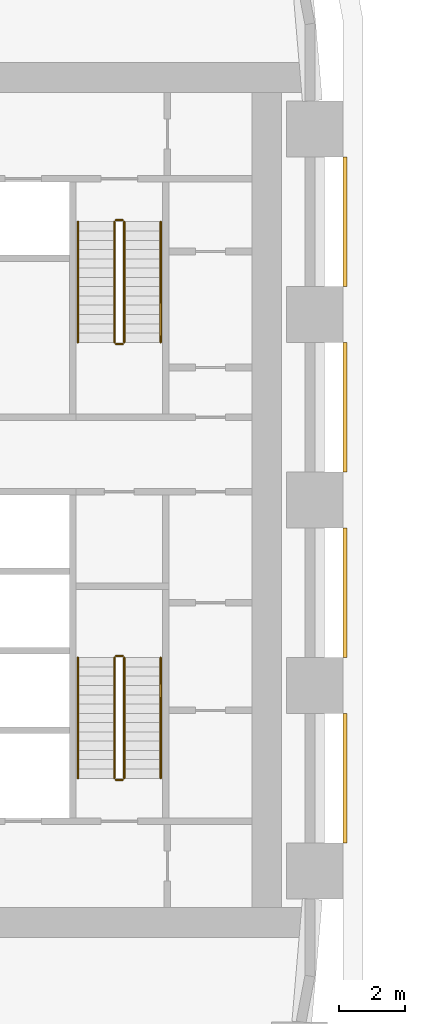
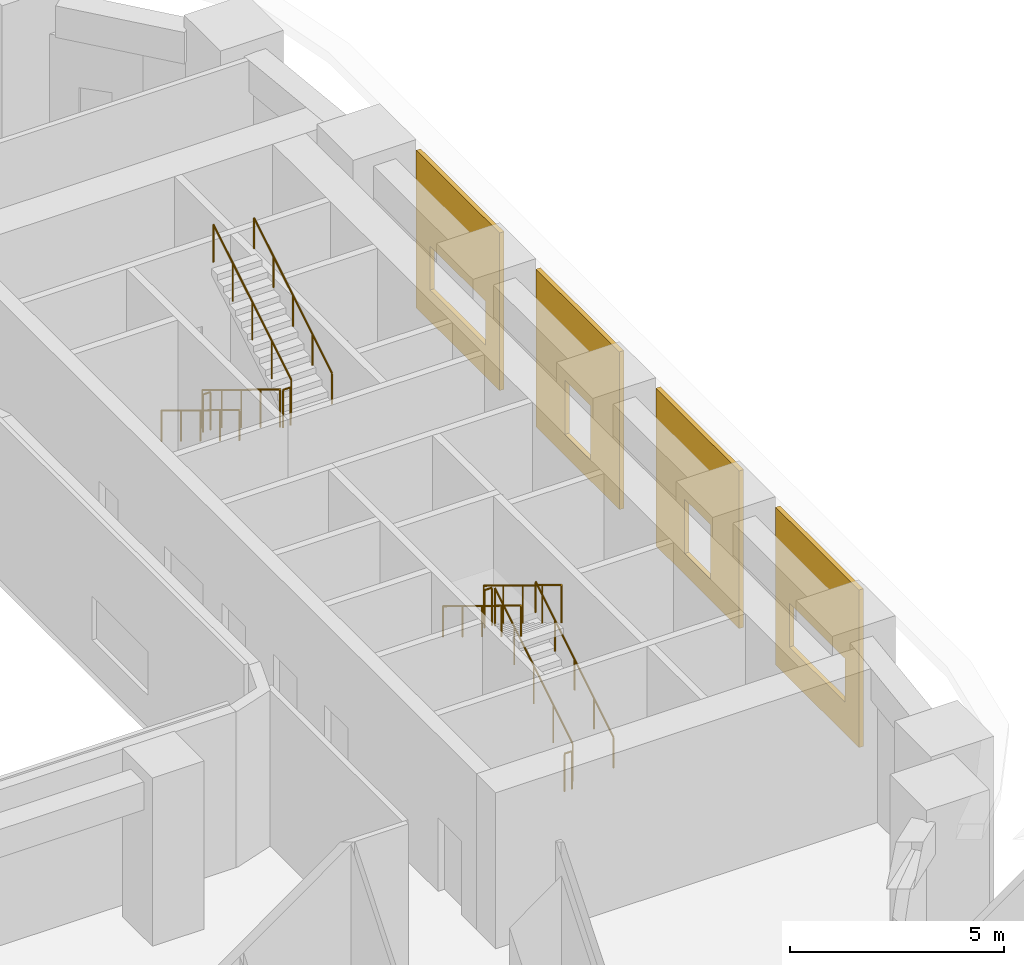
# One storey, part 12 of 13: 12 railings, 4 coverings.
"""IFC4 building model written with IfcOpenShell, lengths in metres."""

from ifc_helpers import new_model, si_unit, direction, frame, origin, origin_2d, place, context, subcontext, project, spatial, polyline, circle, outline, extrude, material, layer, layer_set, type_object, element, save


model = new_model("IFC4")

# Units and contexts
model_context = context("Model", 3, precision=1e-05, world=origin(), true_north=direction((0.0, 1.0)))
body_context = subcontext(model_context, "Body", "Model", "MODEL_VIEW")
ifc_project = project(units=[si_unit("LENGTHUNIT", "METRE"), si_unit("AREAUNIT", "SQUARE_METRE"), si_unit("VOLUMEUNIT", "CUBIC_METRE"), si_unit("PLANEANGLEUNIT", "RADIAN"), si_unit("MASSUNIT", "GRAM", prefix="KILO")], contexts=[model_context])

# Site, building, storey
site_placement = place(None, origin())
site = spatial("IfcSite", under=ifc_project, at=site_placement, CompositionType="ELEMENT")
building_placement = place(site_placement, origin())
building = spatial("IfcBuilding", under=site, at=building_placement, Name="Kiln Ring Residences", CompositionType="ELEMENT")
storey_placement = place(building_placement, frame((0.0, 0.0, 25.699951171875)))
storey = spatial("IfcBuildingStorey", under=building, at=storey_placement, Name="L05", CompositionType="ELEMENT", Elevation=25.699951171875)

# Railings
ifc_material_1 = material(Name="Stainless steel", Category="steel")
railing_type_1 = type_object("IfcRailingType", Name="CORE-STAIR-GUARD", PredefinedType="GUARDRAIL", material=ifc_material_1)
railing_1_placement = place(storey_placement, frame((21.949951171875, 8.39990234375, 0.17138671875)))
element("IfcRailing", 1, at=railing_1_placement, inside=storey, type_object=railing_type_1, Name="L05 E-STN stair guard 1", PredefinedType="GUARDRAIL", context=body_context, shape_type="SweptSolid", body=[
    extrude(circle(Radius=0.02392578125, at=origin_2d()), frame((0.0, 0.0, 1.076171875), z_axis=(0.0, -0.852824790078, 0.522197163366), x_axis=(1.0, 0.0, 0.0)), (0.0, 0.0, 1.0), 4.26806640625),
    extrude(circle(Radius=0.02099609375, at=origin_2d()), origin(), (0.0, 0.0, 1.0), 1.052001953125),
    extrude(circle(Radius=0.02099609375, at=origin_2d()), frame((0.0, -0.909912109375, 0.55712890625)), (0.0, 0.0, 1.0), 1.052001953125),
    extrude(circle(Radius=0.02099609375, at=origin_2d()), frame((0.0, -1.81982421875, 1.1142578125)), (0.0, 0.0, 1.0), 1.052001953125),
    extrude(circle(Radius=0.02099609375, at=origin_2d()), frame((0.0, -2.72998046875, 1.671630859375)), (0.0, 0.0, 1.0), 1.052001953125),
    extrude(circle(Radius=0.02099609375, at=origin_2d()), frame((0.0, -3.639892578125, 2.228759765625)), (0.0, 0.0, 1.0), 1.052001953125),
])
railing_2_placement = place(storey_placement, frame((22.0, 4.7099609375, 2.400146484375)))
element("IfcRailing", 2, at=railing_2_placement, inside=storey, type_object=railing_type_1, Name="L05 E-STN stair guard 2", PredefinedType="GUARDRAIL", context=body_context, shape_type="SweptSolid", body=[
    extrude(circle(Radius=0.02392578125, at=origin_2d()), frame((0.0, 0.0, 1.076171875), z_axis=(1.0, 0.0, 0.0), x_axis=(0.0, 1.0, 0.0)), (0.0, 0.0, 1.0), 0.199951171875),
    extrude(circle(Radius=0.02099609375, at=origin_2d()), origin(), (0.0, 0.0, 1.0), 1.052001953125),
    extrude(circle(Radius=0.02099609375, at=origin_2d()), frame((0.199951171875, 0.0, 0.0)), (0.0, 0.0, 1.0), 1.052001953125),
])
railing_3_placement = place(storey_placement, frame((22.25, 4.760009765625, 2.571533203125)))
element("IfcRailing", 3, at=railing_3_placement, inside=storey, type_object=railing_type_1, Name="L05 E-STN stair guard 3", PredefinedType="GUARDRAIL", context=body_context, shape_type="SweptSolid", body=[
    extrude(circle(Radius=0.02392578125, at=origin_2d()), frame((0.0, 0.0, 1.076171875), z_axis=(0.0, 0.852850264322, 0.5221555579), x_axis=(-1.0, 0.0, 0.0)), (0.0, 0.0, 1.0), 4.267822265625),
    extrude(circle(Radius=0.02099609375, at=origin_2d()), origin(), (0.0, 0.0, 1.0), 1.052001953125),
    extrude(circle(Radius=0.02099609375, at=origin_2d()), frame((0.0, 0.909912109375, 0.55712890625)), (0.0, 0.0, 1.0), 1.052001953125),
    extrude(circle(Radius=0.02099609375, at=origin_2d()), frame((0.0, 1.81982421875, 1.1142578125)), (0.0, 0.0, 1.0), 1.052001953125),
    extrude(circle(Radius=0.02099609375, at=origin_2d()), frame((0.0, 2.72998046875, 1.67138671875)), (0.0, 0.0, 1.0), 1.052001953125),
    extrude(circle(Radius=0.02099609375, at=origin_2d()), frame((0.0, 3.639892578125, 2.228515625)), (0.0, 0.0, 1.0), 1.052001953125),
])
railing_4_placement = place(storey_placement, frame((22.0, 8.449951171875, 0.0)))
element("IfcRailing", 4, at=railing_4_placement, inside=storey, type_object=railing_type_1, Name="L05 E-STN stair guard 4", PredefinedType="GUARDRAIL", context=body_context, shape_type="SweptSolid", body=[
    extrude(circle(Radius=0.02392578125, at=origin_2d()), frame((0.0, 0.0, 1.076171875), z_axis=(1.0, 0.0, 0.0), x_axis=(0.0, 1.0, 0.0)), (0.0, 0.0, 1.0), 0.199951171875),
    extrude(circle(Radius=0.02099609375, at=origin_2d()), origin(), (0.0, 0.0, 1.0), 1.052001953125),
    extrude(circle(Radius=0.02099609375, at=origin_2d()), frame((0.199951171875, 0.0, 0.0)), (0.0, 0.0, 1.0), 1.052001953125),
])
railing_5_placement = place(storey_placement, frame((22.25, -8.39990234375, 0.17138671875)))
element("IfcRailing", 5, at=railing_5_placement, inside=storey, type_object=railing_type_1, Name="L05 E-STS stair guard 1", PredefinedType="GUARDRAIL", context=body_context, shape_type="SweptSolid", body=[
    extrude(circle(Radius=0.02392578125, at=origin_2d()), frame((0.0, 0.0, 1.076171875), z_axis=(0.0, 0.852824790078, 0.522197163366), x_axis=(-1.0, 0.0, 0.0)), (0.0, 0.0, 1.0), 4.26806640625),
    extrude(circle(Radius=0.02099609375, at=origin_2d()), origin(), (0.0, 0.0, 1.0), 1.052001953125),
    extrude(circle(Radius=0.02099609375, at=origin_2d()), frame((0.0, 0.909912109375, 0.55712890625)), (0.0, 0.0, 1.0), 1.052001953125),
    extrude(circle(Radius=0.02099609375, at=origin_2d()), frame((0.0, 1.81982421875, 1.1142578125)), (0.0, 0.0, 1.0), 1.052001953125),
    extrude(circle(Radius=0.02099609375, at=origin_2d()), frame((0.0, 2.72998046875, 1.671630859375)), (0.0, 0.0, 1.0), 1.052001953125),
    extrude(circle(Radius=0.02099609375, at=origin_2d()), frame((0.0, 3.639892578125, 2.228759765625)), (0.0, 0.0, 1.0), 1.052001953125),
])
railing_6_placement = place(storey_placement, frame((22.199951171875, -4.7099609375, 2.400146484375)))
element("IfcRailing", 6, at=railing_6_placement, inside=storey, type_object=railing_type_1, Name="L05 E-STS stair guard 2", PredefinedType="GUARDRAIL", context=body_context, shape_type="SweptSolid", body=[
    extrude(circle(Radius=0.02392578125, at=origin_2d()), frame((0.0, 0.0, 1.076171875), z_axis=(-1.0, 0.0, 0.0), x_axis=(0.0, -1.0, 0.0)), (0.0, 0.0, 1.0), 0.199951171875),
    extrude(circle(Radius=0.02099609375, at=origin_2d()), origin(), (0.0, 0.0, 1.0), 1.052001953125),
    extrude(circle(Radius=0.02099609375, at=origin_2d()), frame((-0.199951171875, 0.0, 0.0)), (0.0, 0.0, 1.0), 1.052001953125),
])
railing_7_placement = place(storey_placement, frame((21.949951171875, -4.760009765625, 2.571533203125)))
element("IfcRailing", 7, at=railing_7_placement, inside=storey, type_object=railing_type_1, Name="L05 E-STS stair guard 3", PredefinedType="GUARDRAIL", context=body_context, shape_type="SweptSolid", body=[
    extrude(circle(Radius=0.02392578125, at=origin_2d()), frame((0.0, 0.0, 1.076171875), z_axis=(0.0, -0.852850264322, 0.5221555579), x_axis=(1.0, 0.0, 0.0)), (0.0, 0.0, 1.0), 4.267822265625),
    extrude(circle(Radius=0.02099609375, at=origin_2d()), origin(), (0.0, 0.0, 1.0), 1.052001953125),
    extrude(circle(Radius=0.02099609375, at=origin_2d()), frame((0.0, -0.909912109375, 0.55712890625)), (0.0, 0.0, 1.0), 1.052001953125),
    extrude(circle(Radius=0.02099609375, at=origin_2d()), frame((0.0, -1.81982421875, 1.1142578125)), (0.0, 0.0, 1.0), 1.052001953125),
    extrude(circle(Radius=0.02099609375, at=origin_2d()), frame((0.0, -2.72998046875, 1.67138671875)), (0.0, 0.0, 1.0), 1.052001953125),
    extrude(circle(Radius=0.02099609375, at=origin_2d()), frame((0.0, -3.639892578125, 2.228515625)), (0.0, 0.0, 1.0), 1.052001953125),
])
railing_8_placement = place(storey_placement, frame((22.199951171875, -8.449951171875, 0.0)))
element("IfcRailing", 8, at=railing_8_placement, inside=storey, type_object=railing_type_1, Name="L05 E-STS stair guard 4", PredefinedType="GUARDRAIL", context=body_context, shape_type="SweptSolid", body=[
    extrude(circle(Radius=0.02392578125, at=origin_2d()), frame((0.0, 0.0, 1.076171875), z_axis=(-1.0, 0.0, 0.0), x_axis=(0.0, -1.0, 0.0)), (0.0, 0.0, 1.0), 0.199951171875),
    extrude(circle(Radius=0.02099609375, at=origin_2d()), origin(), (0.0, 0.0, 1.0), 1.052001953125),
    extrude(circle(Radius=0.02099609375, at=origin_2d()), frame((-0.199951171875, 0.0, 0.0)), (0.0, 0.0, 1.0), 1.052001953125),
])
ifc_material_2 = material(Name="Stainless steel", Category="steel")
railing_type_2 = type_object("IfcRailingType", Name="CORE-STAIR-HANDRAIL", PredefinedType="HANDRAIL", material=ifc_material_2)
railing_9_placement = place(storey_placement, frame((20.85009765625, 8.39990234375, 0.17138671875)))
element("IfcRailing", 9, at=railing_9_placement, inside=storey, type_object=railing_type_2, Name="L05 E-STN stair handrail 1", PredefinedType="HANDRAIL", context=body_context, shape_type="SweptSolid", body=[
    extrude(circle(Radius=0.02392578125, at=origin_2d()), frame((0.0, 0.0, 0.8759765625), z_axis=(0.0, -0.852824790078, 0.522197163366), x_axis=(1.0, 0.0, 0.0)), (0.0, 0.0, 1.0), 4.26806640625),
    extrude(circle(Radius=0.02099609375, at=origin_2d()), origin(), (0.0, 0.0, 1.0), 0.851806640625),
    extrude(circle(Radius=0.02099609375, at=origin_2d()), frame((0.0, -0.909912109375, 0.55712890625)), (0.0, 0.0, 1.0), 0.851806640625),
    extrude(circle(Radius=0.02099609375, at=origin_2d()), frame((0.0, -1.81982421875, 1.1142578125)), (0.0, 0.0, 1.0), 0.851806640625),
    extrude(circle(Radius=0.02099609375, at=origin_2d()), frame((0.0, -2.72998046875, 1.671630859375)), (0.0, 0.0, 1.0), 0.851806640625),
    extrude(circle(Radius=0.02099609375, at=origin_2d()), frame((0.0, -3.639892578125, 2.228759765625)), (0.0, 0.0, 1.0), 0.851806640625),
])
railing_10_placement = place(storey_placement, frame((23.35009765625, 4.760009765625, 2.571533203125)))
element("IfcRailing", 10, at=railing_10_placement, inside=storey, type_object=railing_type_2, Name="L05 E-STN stair handrail 2", PredefinedType="HANDRAIL", context=body_context, shape_type="SweptSolid", body=[
    extrude(circle(Radius=0.02392578125, at=origin_2d()), frame((0.0, 0.0, 0.8759765625), z_axis=(0.0, 0.852850264322, 0.5221555579), x_axis=(-1.0, 0.0, 0.0)), (0.0, 0.0, 1.0), 4.267822265625),
    extrude(circle(Radius=0.02099609375, at=origin_2d()), origin(), (0.0, 0.0, 1.0), 0.851806640625),
    extrude(circle(Radius=0.02099609375, at=origin_2d()), frame((0.0, 0.909912109375, 0.55712890625)), (0.0, 0.0, 1.0), 0.851806640625),
    extrude(circle(Radius=0.02099609375, at=origin_2d()), frame((0.0, 1.81982421875, 1.1142578125)), (0.0, 0.0, 1.0), 0.851806640625),
    extrude(circle(Radius=0.02099609375, at=origin_2d()), frame((0.0, 2.72998046875, 1.67138671875)), (0.0, 0.0, 1.0), 0.851806640625),
    extrude(circle(Radius=0.02099609375, at=origin_2d()), frame((0.0, 3.639892578125, 2.228515625)), (0.0, 0.0, 1.0), 0.851806640625),
])
railing_11_placement = place(storey_placement, frame((23.35009765625, -8.39990234375, 0.17138671875)))
element("IfcRailing", 11, at=railing_11_placement, inside=storey, type_object=railing_type_2, Name="L05 E-STS stair handrail 1", PredefinedType="HANDRAIL", context=body_context, shape_type="SweptSolid", body=[
    extrude(circle(Radius=0.02392578125, at=origin_2d()), frame((0.0, 0.0, 0.8759765625), z_axis=(0.0, 0.852824790078, 0.522197163366), x_axis=(-1.0, 0.0, 0.0)), (0.0, 0.0, 1.0), 4.26806640625),
    extrude(circle(Radius=0.02099609375, at=origin_2d()), origin(), (0.0, 0.0, 1.0), 0.851806640625),
    extrude(circle(Radius=0.02099609375, at=origin_2d()), frame((0.0, 0.909912109375, 0.55712890625)), (0.0, 0.0, 1.0), 0.851806640625),
    extrude(circle(Radius=0.02099609375, at=origin_2d()), frame((0.0, 1.81982421875, 1.1142578125)), (0.0, 0.0, 1.0), 0.851806640625),
    extrude(circle(Radius=0.02099609375, at=origin_2d()), frame((0.0, 2.72998046875, 1.671630859375)), (0.0, 0.0, 1.0), 0.851806640625),
    extrude(circle(Radius=0.02099609375, at=origin_2d()), frame((0.0, 3.639892578125, 2.228759765625)), (0.0, 0.0, 1.0), 0.851806640625),
])
railing_12_placement = place(storey_placement, frame((20.85009765625, -4.760009765625, 2.571533203125)))
element("IfcRailing", 12, at=railing_12_placement, inside=storey, type_object=railing_type_2, Name="L05 E-STS stair handrail 2", PredefinedType="HANDRAIL", context=body_context, shape_type="SweptSolid", body=[
    extrude(circle(Radius=0.02392578125, at=origin_2d()), frame((0.0, 0.0, 0.8759765625), z_axis=(0.0, -0.852850264322, 0.5221555579), x_axis=(1.0, 0.0, 0.0)), (0.0, 0.0, 1.0), 4.267822265625),
    extrude(circle(Radius=0.02099609375, at=origin_2d()), origin(), (0.0, 0.0, 1.0), 0.851806640625),
    extrude(circle(Radius=0.02099609375, at=origin_2d()), frame((0.0, -0.909912109375, 0.55712890625)), (0.0, 0.0, 1.0), 0.851806640625),
    extrude(circle(Radius=0.02099609375, at=origin_2d()), frame((0.0, -1.81982421875, 1.1142578125)), (0.0, 0.0, 1.0), 0.851806640625),
    extrude(circle(Radius=0.02099609375, at=origin_2d()), frame((0.0, -2.72998046875, 1.67138671875)), (0.0, 0.0, 1.0), 0.851806640625),
    extrude(circle(Radius=0.02099609375, at=origin_2d()), frame((0.0, -3.639892578125, 2.228515625)), (0.0, 0.0, 1.0), 0.851806640625),
])

# Coverings
ifc_material_3 = material(Name="Brick masonry, dark clay brick", Category="masonry")
ifc_layer = layer(ifc_material_3, 0.1201171875)
ifc_layer_set = layer_set([ifc_layer], Name="RAINSCREEN PANEL 120")
covering_type = type_object("IfcCoveringType", Name="RAINSCREEN PANEL 120", PredefinedType="CLADDING", material=ifc_layer_set)
covering_1_placement = place(storey_placement, frame((28.909912109375, -10.35009765625, 0.0), z_axis=(0.0, 0.0, 1.0), x_axis=(0.0, 1.0, 0.0)))
element("IfcCovering", 13, at=covering_1_placement, inside=storey, type_object=covering_type, Name="RAINSCREEN L05", PredefinedType="CLADDING", context=body_context, shape_type="SweptSolid", body=[
    extrude(outline(polyline([(0.0, 0.0), (3.89990234375, 0.0), (3.89990234375, 4.5), (0.0, 4.5), (0.0, 0.0)]), holes=[polyline([(0.64990234375, 2.150146484375), (0.64990234375, 0.900146484375), (3.25, 0.900146484375), (3.25, 2.150146484375), (0.64990234375, 2.150146484375)])]), frame((0.0, 0.06005859375, 0.0), z_axis=(0.0, -1.0, 0.0), x_axis=(1.0, 0.0, 0.0)), (0.0, 0.0, 1.0), 0.1201171875),
])
for number, where, z_axis, x_axis, name in (
    (14, (28.909912109375, -4.75, 0.0), (0.0, 0.0, 1.0), (0.0, 1.0, 0.0), "RAINSCREEN L05"),
    (15, (28.909912109375, 0.85009765625, 0.0), (0.0, 0.0, 1.0), (0.0, 1.0, 0.0), "RAINSCREEN L05"),
):
    element("IfcCovering", number, at=place(storey_placement, frame(where, z_axis=z_axis, x_axis=x_axis)), inside=storey, type_object=covering_type, Name=name, PredefinedType="CLADDING", context=body_context, shape_type="SweptSolid", body=[
        extrude(outline(polyline([(0.0, 0.0), (3.89990234375, 0.0), (3.89990234375, 4.5), (0.0, 4.5), (0.0, 0.0)]), holes=[polyline([(1.35009765625, 2.150146484375), (1.35009765625, 0.60009765625), (2.550048828125, 0.60009765625), (2.550048828125, 2.150146484375), (1.35009765625, 2.150146484375)])]), frame((0.0, 0.06005859375, 0.0), z_axis=(0.0, -1.0, 0.0), x_axis=(1.0, 0.0, 0.0)), (0.0, 0.0, 1.0), 0.1201171875),
    ])
covering_2_placement = place(storey_placement, frame((28.909912109375, 6.449951171875, 0.0), z_axis=(0.0, 0.0, 1.0), x_axis=(0.0, 1.0, 0.0)))
element("IfcCovering", 16, at=covering_2_placement, inside=storey, type_object=covering_type, Name="RAINSCREEN L05", PredefinedType="CLADDING", context=body_context, shape_type="SweptSolid", body=[
    extrude(outline(polyline([(0.0, 0.0), (3.89990234375, 0.0), (3.89990234375, 4.5), (0.0, 4.5), (0.0, 0.0)]), holes=[polyline([(0.64990234375, 2.150146484375), (0.64990234375, 0.900146484375), (3.25, 0.900146484375), (3.25, 2.150146484375), (0.64990234375, 2.150146484375)])]), frame((0.0, 0.06005859375, 0.0), z_axis=(0.0, -1.0, 0.0), x_axis=(1.0, 0.0, 0.0)), (0.0, 0.0, 1.0), 0.1201171875),
])

save(model, "model.ifc")
